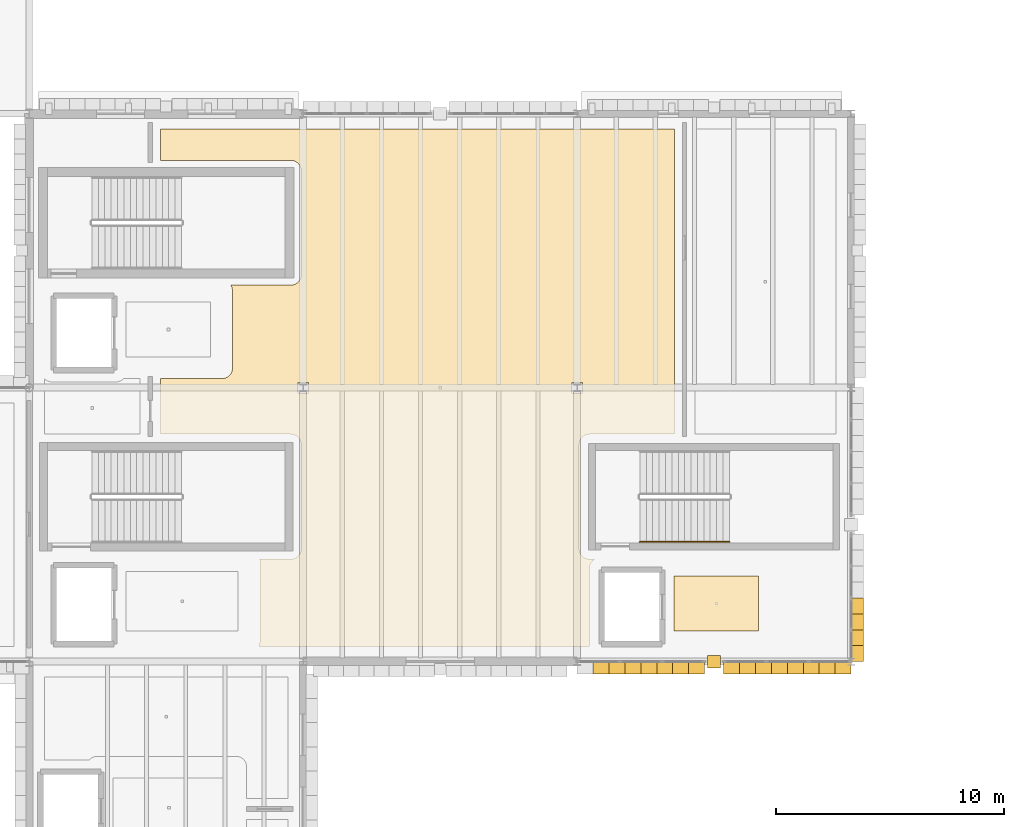
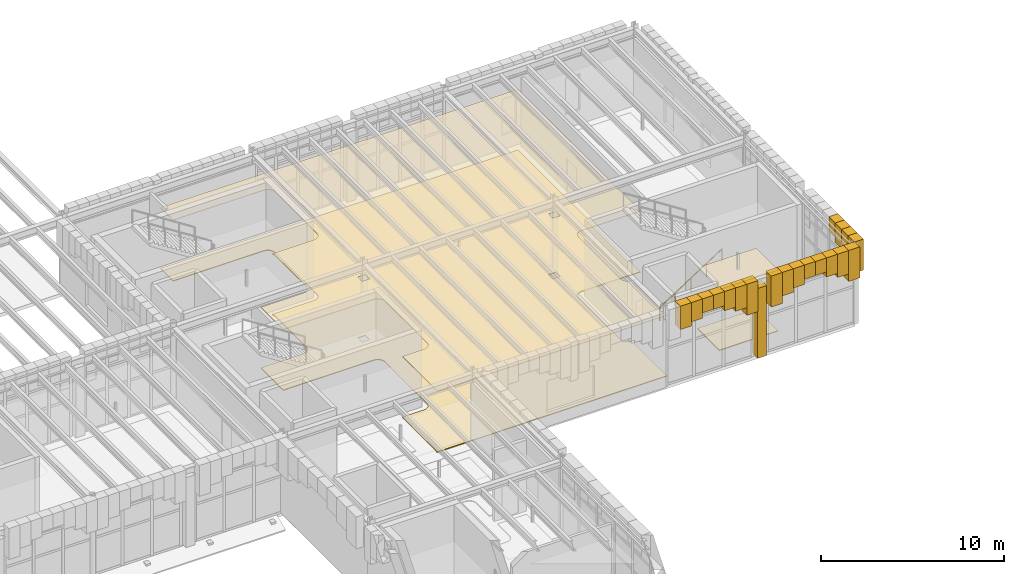
# One storey, part 93 of 100: 24 coverings, 1 railing.
"""IFC4 building model written with IfcOpenShell, lengths in metres."""

import ifcopenshell
import ifcopenshell.guid

model = None  # the IFC model being written
_history = None  # IfcOwnerHistory: only IFC2X3 demands one
_inside = {}  # id of a spatial element -> (the spatial element, [elements in it])
_under = {}  # id of a project, library or spatial element -> (it, [spatial elements below it])
_declared = {}  # id of a project -> (the project, [libraries it declares])
_typed = {}  # id of a type object -> (the type object, [elements of that type])
_made_of = {}  # id of a material, layer set ... -> (it, [elements and type objects made of it])


def new_model(schema):
    """Start an empty IFC model of exactly this schema.

    Asked for "IFC4X3", IfcOpenShell would pick the latest addendum, in which some entities
    have other attributes; the version numbers below select the first issue.
    IFC2X3 requires an IfcOwnerHistory on every rooted entity: one is made here for all.
    """
    global model, _history
    if schema == "IFC4X3":
        model = ifcopenshell.file(schema_version=(4, 3, 0, 0))
    else:
        model = ifcopenshell.file(schema=schema)
    _inside.clear()
    _under.clear()
    _declared.clear()
    _typed.clear()
    _made_of.clear()
    _history = None
    if model.schema == "IFC2X3":
        org = make("IfcOrganization", Name="unknown")
        user = make(
            "IfcPersonAndOrganization",
            ThePerson=make("IfcPerson", FamilyName="unknown"),
            TheOrganization=org,
        )
        app = make(
            "IfcApplication",
            ApplicationDeveloper=org,
            Version="unknown",
            ApplicationFullName="unknown",
            ApplicationIdentifier="unknown",
        )
        _history = make(
            "IfcOwnerHistory",
            OwningUser=user,
            OwningApplication=app,
            ChangeAction="ADDED",
            CreationDate=0,
        )
    return model


def make(cls, **values):
    """One entity of the class cls with the attributes given. An attribute that is None is left unset."""
    return model.create_entity(
        cls, **{name: value for name, value in values.items() if value is not None}
    )


def rooted(cls, **values):
    """An entity with a GlobalId (a new one), such as an element, a storey or a relation."""
    return make(cls, GlobalId=ifcopenshell.guid.new(), OwnerHistory=_history, **values)


def si_unit(unit_type, name, prefix=None):
    """IfcSIUnit, for example si_unit("LENGTHUNIT", "METRE", prefix="MILLI")."""
    return make("IfcSIUnit", UnitType=unit_type, Prefix=prefix, Name=name)


def assignment(units):
    """IfcUnitAssignment: the units of a project."""
    return None if units is None else make("IfcUnitAssignment", Units=units)


def point(xyz):
    """IfcCartesianPoint."""
    return None if xyz is None else make("IfcCartesianPoint", Coordinates=xyz)


def direction(xyz):
    """IfcDirection."""
    return None if xyz is None else make("IfcDirection", DirectionRatios=xyz)


def frame(location, z_axis=None, x_axis=None):
    """IfcAxis2Placement3D, a coordinate frame: its origin and axes. An axis left out is left unset."""
    return make(
        "IfcAxis2Placement3D",
        Location=point(location),
        Axis=direction(z_axis),
        RefDirection=direction(x_axis),
    )


def frame_2d(location, x_axis=None):
    """IfcAxis2Placement2D, a coordinate frame in the plane: its origin and x axis."""
    return make(
        "IfcAxis2Placement2D", Location=point(location), RefDirection=direction(x_axis)
    )


def origin():
    """The frame at (0, 0, 0) with its axes left unset."""
    return frame((0.0, 0.0, 0.0))


def origin_2d():
    """The frame at (0, 0) in the plane with its x axis left unset."""
    return frame_2d((0.0, 0.0))


def place(relative_to, where):
    """IfcLocalPlacement: puts the frame where relative to a parent placement (None: the world)."""
    return make(
        "IfcLocalPlacement", PlacementRelTo=relative_to, RelativePlacement=where
    )


def context(
    kind, dimensions, precision=None, world=None, true_north=None, identifier=None
):
    """IfcGeometricRepresentationContext, for example the 3D "Model" context."""
    return make(
        "IfcGeometricRepresentationContext",
        ContextIdentifier=identifier,
        ContextType=kind,
        CoordinateSpaceDimension=dimensions,
        Precision=precision,
        WorldCoordinateSystem=world,
        TrueNorth=true_north,
    )


def subcontext(parent, identifier, kind, view, scale=None):
    """IfcGeometricRepresentationSubContext, for example "Body" below "Model"."""
    return make(
        "IfcGeometricRepresentationSubContext",
        ContextIdentifier=identifier,
        ContextType=kind,
        ParentContext=parent,
        TargetScale=scale,
        TargetView=view,
    )


def project(units=None, contexts=None):
    """IfcProject with its units and contexts."""
    return rooted(
        "IfcProject",
        Name="project",
        RepresentationContexts=contexts,
        UnitsInContext=assignment(units),
    )


def spatial(cls, under=None, at=None, **own):
    """A site, building, storey or space (cls), placed at a placement, below another one or the project."""
    s = rooted(cls, ObjectPlacement=at, **own)
    if under is not None:
        _under.setdefault(under.id(), (under, []))[1].append(s)
    return s


def polyline(points):
    """IfcPolyline through the points."""
    return make("IfcPolyline", Points=[point(p) for p in points])


def profile(cls, at=None, kind="AREA", **sizes):
    """A parametric profile (cls). Its sizes go by their IFC names, for example OverallWidth=200.0."""
    return make(cls, ProfileType=kind, Position=at, **sizes)


def circle(**sizes):
    """IfcCircleProfileDef."""
    return profile("IfcCircleProfileDef", **sizes)


def outline(outer, holes=None, kind="AREA"):
    """IfcArbitraryClosedProfileDef: a profile drawn as a closed curve; with holes, ...WithVoids."""
    if holes is None:
        return make("IfcArbitraryClosedProfileDef", ProfileType=kind, OuterCurve=outer)
    return make(
        "IfcArbitraryProfileDefWithVoids",
        ProfileType=kind,
        OuterCurve=outer,
        InnerCurves=holes,
    )


def extrude(swept, where, along, depth):
    """IfcExtrudedAreaSolid: the profile swept, set in the frame where, extruded along a direction by depth."""
    return make(
        "IfcExtrudedAreaSolid",
        SweptArea=swept,
        Position=where,
        ExtrudedDirection=direction(along),
        Depth=depth,
    )


def shape(context_of_items, identifier, shape_type, items):
    """IfcShapeRepresentation: the items that make up one representation, for example the "Body"."""
    return make(
        "IfcShapeRepresentation",
        ContextOfItems=context_of_items,
        RepresentationIdentifier=identifier,
        RepresentationType=shape_type,
        Items=items,
    )


def material(Name=None, Category=None):
    """IfcMaterial."""
    return make("IfcMaterial", Name=Name, Category=Category)


def layer(
    of_material, thickness, ventilated=None, Name=None, Category=None, Priority=None
):
    """IfcMaterialLayer: one layer of a wall or slab, of a material (None: an air gap)."""
    return make(
        "IfcMaterialLayer",
        Material=of_material,
        LayerThickness=thickness,
        IsVentilated=ventilated,
        Name=Name,
        Category=Category,
        Priority=Priority,
    )


def layer_set(layers, Name=None):
    """IfcMaterialLayerSet."""
    return make("IfcMaterialLayerSet", MaterialLayers=layers, LayerSetName=Name)


def made_of(thing, what):
    """Note that an element or type object is made of a material, layer set ...; save() writes the relation."""
    if what is not None:
        _made_of.setdefault(what.id(), (what, []))[1].append(thing)
    return thing


def type_object(cls, material=None, **own):
    """A type object (cls), such as IfcWallType, which elements share."""
    return made_of(rooted(cls, **own), material)


def element(
    cls,
    number,
    at=None,
    inside=None,
    cuts=None,
    type_object=None,
    material=None,
    context=None,
    identifier="Body",
    shape_type=None,
    held_by="IfcProductDefinitionShape",
    body=None,
    shapes=None,
    **own,
):
    """One element of the class cls, such as IfcWall. Its Tag is "e" and its number.

    at: its placement. inside: the storey or other place that contains it. cuts: it is an
    opening in that element (IfcRelVoidsElement). A single representation is given by context,
    identifier, shape_type and body (its items); several are given by shapes. held_by: the class
    of the entity that holds the representations. save() writes the other relations.
    """
    e = rooted(cls, Tag="e%d" % number, ObjectPlacement=at, **own)
    if body is not None:
        shapes = [shape(context, identifier, shape_type, body)]
    if shapes is not None:
        e.Representation = make(held_by, Representations=shapes)
    if inside is not None:
        _inside.setdefault(inside.id(), (inside, []))[1].append(e)
    if cuts is not None:
        rooted(
            "IfcRelVoidsElement", RelatingBuildingElement=cuts, RelatedOpeningElement=e
        )
    if type_object is not None:
        _typed.setdefault(type_object.id(), (type_object, []))[1].append(e)
    return made_of(e, material)


def aggregate(whole, parts):
    """IfcRelAggregates: a whole, such as a stair, and the parts it consists of."""
    return rooted("IfcRelAggregates", RelatingObject=whole, RelatedObjects=parts)


def save(model, path):
    """Write the relations noted so far, then the file.

    IfcRelAggregates (storeys below a building ...), IfcRelContainedInSpatialStructure (elements
    in a storey), IfcRelDefinesByType, IfcRelAssociatesMaterial and IfcRelDeclares: one each for
    every whole, place, type object, material and project.
    """
    for whole, parts in _under.values():
        aggregate(whole, parts)
    for where, things in _inside.values():
        rooted(
            "IfcRelContainedInSpatialStructure",
            RelatedElements=things,
            RelatingStructure=where,
        )
    for kind, things in _typed.values():
        rooted("IfcRelDefinesByType", RelatedObjects=things, RelatingType=kind)
    for what, things in _made_of.values():
        rooted("IfcRelAssociatesMaterial", RelatedObjects=things, RelatingMaterial=what)
    for by, libraries in _declared.values():
        rooted("IfcRelDeclares", RelatingContext=by, RelatedDefinitions=libraries)
    model.write(path)


model = new_model("IFC4")

# Units and contexts
model_context = context("Model", 3, precision=1e-05, world=origin(), true_north=direction((0.0, 1.0)))
body_context = subcontext(model_context, "Body", "Model", "MODEL_VIEW")
ifc_project = project(units=[si_unit("LENGTHUNIT", "METRE"), si_unit("AREAUNIT", "SQUARE_METRE"), si_unit("VOLUMEUNIT", "CUBIC_METRE"), si_unit("PLANEANGLEUNIT", "RADIAN"), si_unit("MASSUNIT", "GRAM", prefix="KILO")], contexts=[model_context])

# Site, building, storey
site_placement = place(None, origin())
site = spatial("IfcSite", under=ifc_project, at=site_placement, CompositionType="ELEMENT")
building_placement = place(site_placement, origin())
building = spatial("IfcBuilding", under=site, at=building_placement, Name="Zlatogorsky Bluff Art Gallery", CompositionType="ELEMENT")
storey_placement = place(building_placement, frame((0.0, 0.0, 5.39990234375)))
storey = spatial("IfcBuildingStorey", under=building, at=storey_placement, Name="L01", CompositionType="ELEMENT", Elevation=5.39990234375)

# Coverings
ifc_material_1 = material(Name="Perforated Gypsum Acoustic Board", Category="gypsum")
ifc_layer_1 = layer(ifc_material_1, 0.0400390625)
ifc_layer_set_1 = layer_set([ifc_layer_1], Name="Acoustic Gallery Ceiling CLG-01")
covering_type_1 = type_object("IfcCoveringType", Name="Acoustic Gallery Ceiling CLG-01", PredefinedType="CEILING", material=ifc_layer_set_1)
covering_1_placement = place(storey_placement, frame((0.0, 0.0, 4.050048828125)))
element("IfcCovering", 1, at=covering_1_placement, inside=storey, type_object=covering_type_1, Name="Lift Lobby PL-2 acoustic ceiling", PredefinedType="CEILING", context=body_context, shape_type="SweptSolid", body=[
    extrude(outline(polyline([(151.949951171875, 87.75), (151.949951171875, 85.35009765625), (148.25, 85.35009765625), (148.25, 87.75), (151.949951171875, 87.75)])), origin(), (0.0, 0.0, 1.0), 0.0400390625),
])
covering_2_placement = place(storey_placement, frame((0.0, 0.0, 4.050048828125)))
element("IfcCovering", 2, at=covering_2_placement, inside=storey, type_object=covering_type_1, Name="Courtyard Artists' Studios acoustic ceiling", PredefinedType="CEILING", context=body_context, shape_type="SweptSolid", body=[
    extrude(outline(polyline([(130.065673828125, 84.677734375), (130.08056640625, 84.719482421875), (130.09130859375, 84.76220703125), (130.097900390625, 84.805908203125), (130.10009765625, 84.85009765625), (130.10009765625, 88.449951171875), (130.097900390625, 88.489990234375), (131.450927734375, 88.489990234375), (131.495361328125, 88.4921875), (131.539306640625, 88.498779296875), (131.540283203125, 88.498779296875), (131.549560546875, 88.5009765625), (131.550537109375, 88.501220703125), (131.59375, 88.512939453125), (131.6357421875, 88.529296875), (131.637451171875, 88.530029296875), (131.673095703125, 88.5478515625), (131.674072265625, 88.54833984375), (131.706298828125, 88.568115234375), (131.73681640625, 88.59033203125), (131.73828125, 88.591552734375), (131.775390625, 88.624755859375), (131.80859375, 88.661865234375), (131.809814453125, 88.663330078125), (131.83203125, 88.693603515625), (131.851806640625, 88.725830078125), (131.852294921875, 88.726806640625), (131.8701171875, 88.762451171875), (131.870361328125, 88.763427734375), (131.870849609375, 88.764404296875), (131.886962890625, 88.80615234375), (131.89892578125, 88.849609375), (131.899169921875, 88.850341796875), (131.901123046875, 88.859619140625), (131.9013671875, 88.860595703125), (131.90771484375, 88.90478515625), (131.909912109375, 88.948974609375), (131.909912109375, 93.5009765625), (131.90771484375, 93.54541015625), (131.9013671875, 93.58935546875), (131.901123046875, 93.59033203125), (131.899169921875, 93.599609375), (131.89892578125, 93.6005859375), (131.886962890625, 93.643798828125), (131.870849609375, 93.685791015625), (131.870361328125, 93.6865234375), (131.8701171875, 93.6875), (131.852294921875, 93.72314453125), (131.851806640625, 93.72412109375), (131.83203125, 93.75634765625), (131.809814453125, 93.78662109375), (131.80859375, 93.7880859375), (131.775390625, 93.8251953125), (131.73828125, 93.8583984375), (131.73681640625, 93.859619140625), (131.706298828125, 93.882080078125), (131.674072265625, 93.901611328125), (131.673095703125, 93.902099609375), (131.637451171875, 93.919921875), (131.63671875, 93.92041015625), (131.6357421875, 93.9208984375), (131.59375, 93.93701171875), (131.550537109375, 93.948974609375), (131.549560546875, 93.94921875), (131.540283203125, 93.951171875), (131.539306640625, 93.951416015625), (131.495361328125, 93.957763671875), (131.450927734375, 93.9599609375), (125.7548828125, 93.9599609375), (125.7548828125, 96.39990234375), (128.449951171875, 96.39990234375), (128.494140625, 96.402099609375), (128.537841796875, 96.40869140625), (128.58056640625, 96.41943359375), (128.622314453125, 96.434326171875), (128.662109375, 96.453125), (128.699951171875, 96.475830078125), (128.735595703125, 96.502197265625), (128.768310546875, 96.53173828125), (128.7978515625, 96.564453125), (128.82421875, 96.60009765625), (128.846923828125, 96.637939453125), (128.86572265625, 96.677734375), (128.880615234375, 96.719482421875), (128.891357421875, 96.76220703125), (128.897705078125, 96.805908203125), (128.89990234375, 96.85009765625), (128.89990234375, 100.25), (128.897705078125, 100.294189453125), (128.891357421875, 100.337890625), (128.880615234375, 100.380615234375), (128.86572265625, 100.422119140625), (128.846923828125, 100.462158203125), (128.830078125, 100.489990234375), (131.450927734375, 100.489990234375), (131.495361328125, 100.4921875), (131.539306640625, 100.498779296875), (131.540283203125, 100.498779296875), (131.549560546875, 100.5009765625), (131.550537109375, 100.501220703125), (131.59375, 100.512939453125), (131.6357421875, 100.529296875), (131.637451171875, 100.530029296875), (131.673095703125, 100.5478515625), (131.674072265625, 100.54833984375), (131.706298828125, 100.568115234375), (131.73681640625, 100.59033203125), (131.73828125, 100.591552734375), (131.775390625, 100.624755859375), (131.80859375, 100.661865234375), (131.809814453125, 100.663330078125), (131.83203125, 100.693603515625), (131.851806640625, 100.725830078125), (131.852294921875, 100.726806640625), (131.8701171875, 100.762451171875), (131.870361328125, 100.763427734375), (131.870849609375, 100.764404296875), (131.886962890625, 100.80615234375), (131.89892578125, 100.849609375), (131.899169921875, 100.850341796875), (131.901123046875, 100.859619140625), (131.9013671875, 100.860595703125), (131.90771484375, 100.90478515625), (131.909912109375, 100.948974609375), (131.909912109375, 105.5009765625), (131.90771484375, 105.54541015625), (131.9013671875, 105.58935546875), (131.901123046875, 105.59033203125), (131.899169921875, 105.599609375), (131.89892578125, 105.6005859375), (131.886962890625, 105.643798828125), (131.870849609375, 105.685791015625), (131.870361328125, 105.6865234375), (131.8701171875, 105.6875), (131.852294921875, 105.72314453125), (131.851806640625, 105.72412109375), (131.83203125, 105.75634765625), (131.809814453125, 105.78662109375), (131.80859375, 105.7880859375), (131.775390625, 105.8251953125), (131.73828125, 105.8583984375), (131.73681640625, 105.859619140625), (131.706298828125, 105.882080078125), (131.674072265625, 105.901611328125), (131.673095703125, 105.902099609375), (131.637451171875, 105.919921875), (131.63671875, 105.92041015625), (131.6357421875, 105.9208984375), (131.59375, 105.93701171875), (131.550537109375, 105.948974609375), (131.549560546875, 105.94921875), (131.540283203125, 105.951171875), (131.539306640625, 105.951416015625), (131.495361328125, 105.957763671875), (131.450927734375, 105.9599609375), (125.7548828125, 105.9599609375), (125.7548828125, 107.330078125), (148.2607421875, 107.330078125), (148.2607421875, 93.9599609375), (144.549072265625, 93.9599609375), (144.504638671875, 93.957763671875), (144.460693359375, 93.951416015625), (144.459716796875, 93.951171875), (144.450439453125, 93.94921875), (144.449462890625, 93.948974609375), (144.40625, 93.93701171875), (144.3642578125, 93.9208984375), (144.36328125, 93.92041015625), (144.362548828125, 93.919921875), (144.326904296875, 93.902099609375), (144.325927734375, 93.901611328125), (144.293701171875, 93.882080078125), (144.26318359375, 93.859619140625), (144.26171875, 93.8583984375), (144.224609375, 93.8251953125), (144.19140625, 93.7880859375), (144.190185546875, 93.78662109375), (144.16796875, 93.75634765625), (144.148193359375, 93.72412109375), (144.147705078125, 93.72314453125), (144.1298828125, 93.6875), (144.129638671875, 93.6865234375), (144.129150390625, 93.685791015625), (144.113037109375, 93.643798828125), (144.10107421875, 93.6005859375), (144.100830078125, 93.599609375), (144.098876953125, 93.59033203125), (144.0986328125, 93.58935546875), (144.09228515625, 93.54541015625), (144.090087890625, 93.5009765625), (144.090087890625, 88.948974609375), (144.09228515625, 88.90478515625), (144.0986328125, 88.860595703125), (144.098876953125, 88.859619140625), (144.100830078125, 88.850341796875), (144.10107421875, 88.849609375), (144.113037109375, 88.80615234375), (144.129150390625, 88.764404296875), (144.129638671875, 88.763427734375), (144.1298828125, 88.762451171875), (144.147705078125, 88.726806640625), (144.148193359375, 88.725830078125), (144.16796875, 88.693603515625), (144.190185546875, 88.663330078125), (144.19140625, 88.661865234375), (144.224609375, 88.624755859375), (144.26171875, 88.591552734375), (144.26318359375, 88.59033203125), (144.293701171875, 88.568115234375), (144.325927734375, 88.54833984375), (144.326904296875, 88.5478515625), (144.362548828125, 88.530029296875), (144.3642578125, 88.529296875), (144.40625, 88.512939453125), (144.449462890625, 88.501220703125), (144.450439453125, 88.5009765625), (144.459716796875, 88.498779296875), (144.460693359375, 88.498779296875), (144.504638671875, 88.4921875), (144.549072265625, 88.489990234375), (144.7763671875, 88.489990234375), (144.75, 88.47412109375), (144.714599609375, 88.447998046875), (144.681884765625, 88.418212890625), (144.652099609375, 88.385498046875), (144.625732421875, 88.35009765625), (144.60302734375, 88.31201171875), (144.584228515625, 88.272216796875), (144.5693359375, 88.230712890625), (144.55859375, 88.187744140625), (144.55224609375, 88.14404296875), (144.550048828125, 88.10009765625), (144.550048828125, 84.699951171875), (144.551513671875, 84.669921875), (130.06201171875, 84.669921875), (130.065673828125, 84.677734375)]), holes=[polyline([(131.77001953125, 96.22998046875), (131.77001953125, 95.77001953125), (132.22998046875, 95.77001953125), (132.22998046875, 96.22998046875), (131.77001953125, 96.22998046875)]), polyline([(143.77001953125, 96.22998046875), (143.77001953125, 95.77001953125), (144.22998046875, 95.77001953125), (144.22998046875, 96.22998046875), (143.77001953125, 96.22998046875)])]), origin(), (0.0, 0.0, 1.0), 0.0400390625),
])
ifc_material_2 = material(Name="Honed Red Agra-Tone Quartzitic Sandstone", Category="masonry")
ifc_layer_2 = layer(ifc_material_2, 0.1201171875)
ifc_layer_set_2 = layer_set([ifc_layer_2], Name="Carved Sandstone Cladding CLD-02")
covering_type_2 = type_object("IfcCoveringType", Name="Carved Sandstone Cladding CLD-02", PredefinedType="CLADDING", material=ifc_layer_set_2)
covering_3_placement = place(storey_placement, frame((0.0, 0.0, -0.02978515625)))
element("IfcCovering", 3, at=covering_3_placement, inside=storey, type_object=covering_type_2, Name="Mughal dalan central sandstone pier L01 S 12.8", PredefinedType="CLADDING", context=body_context, shape_type="SweptSolid", body=[
    extrude(outline(polyline([(149.719970703125, 83.719970703125), (150.280029296875, 83.719970703125), (150.280029296875, 84.280029296875), (149.719970703125, 84.280029296875), (149.719970703125, 83.719970703125)])), origin(), (0.0, 0.0, 1.0), 4.659912109375),
])
covering_4_placement = place(storey_placement, frame((0.0, 0.0, 3.7998046875)))
element("IfcCovering", 4, at=covering_4_placement, inside=storey, type_object=covering_type_2, Name="Pointed Mughal arch voussoir spandrel ARCH-CW-L01-S-12-08-A.2", PredefinedType="CLADDING", context=body_context, shape_type="SweptSolid", body=[
    extrude(outline(polyline([(144.697509765625, 83.4599609375), (145.39501953125, 83.4599609375), (145.39501953125, 84.030029296875), (144.697509765625, 84.030029296875), (144.697509765625, 83.4599609375)])), origin(), (0.0, 0.0, 1.0), 1.560302734375),
])
covering_5_placement = place(storey_placement, frame((0.0, 0.0, 4.076416015625)))
element("IfcCovering", 5, at=covering_5_placement, inside=storey, type_object=covering_type_2, Name="Pointed Mughal arch voussoir spandrel ARCH-CW-L01-S-12-08-A.3", PredefinedType="CLADDING", context=body_context, shape_type="SweptSolid", body=[
    extrude(outline(polyline([(145.39501953125, 83.4599609375), (146.092529296875, 83.4599609375), (146.092529296875, 84.030029296875), (145.39501953125, 84.030029296875), (145.39501953125, 83.4599609375)])), origin(), (0.0, 0.0, 1.0), 1.28369140625),
])
covering_6_placement = place(storey_placement, frame((0.0, 0.0, 4.424560546875)))
element("IfcCovering", 6, at=covering_6_placement, inside=storey, type_object=covering_type_2, Name="Pointed Mughal arch voussoir spandrel ARCH-CW-L01-S-12-08-A.4", PredefinedType="CLADDING", context=body_context, shape_type="SweptSolid", body=[
    extrude(outline(polyline([(146.092529296875, 83.4599609375), (146.7900390625, 83.4599609375), (146.7900390625, 84.030029296875), (146.092529296875, 84.030029296875), (146.092529296875, 83.4599609375)])), origin(), (0.0, 0.0, 1.0), 0.935546875),
])
covering_7_placement = place(storey_placement, frame((0.0, 0.0, 4.424560546875)))
element("IfcCovering", 7, at=covering_7_placement, inside=storey, type_object=covering_type_2, Name="Pointed Mughal arch voussoir spandrel ARCH-CW-L01-S-12-08-A.5", PredefinedType="CLADDING", context=body_context, shape_type="SweptSolid", body=[
    extrude(outline(polyline([(146.7900390625, 83.4599609375), (147.487548828125, 83.4599609375), (147.487548828125, 84.030029296875), (146.7900390625, 84.030029296875), (146.7900390625, 83.4599609375)])), origin(), (0.0, 0.0, 1.0), 0.935546875),
])
covering_8_placement = place(storey_placement, frame((0.0, 0.0, 4.076416015625)))
element("IfcCovering", 8, at=covering_8_placement, inside=storey, type_object=covering_type_2, Name="Pointed Mughal arch voussoir spandrel ARCH-CW-L01-S-12-08-A.6", PredefinedType="CLADDING", context=body_context, shape_type="SweptSolid", body=[
    extrude(outline(polyline([(147.487548828125, 83.4599609375), (148.18505859375, 83.4599609375), (148.18505859375, 84.030029296875), (147.487548828125, 84.030029296875), (147.487548828125, 83.4599609375)])), origin(), (0.0, 0.0, 1.0), 1.28369140625),
])
covering_9_placement = place(storey_placement, frame((0.0, 0.0, 3.7998046875)))
element("IfcCovering", 9, at=covering_9_placement, inside=storey, type_object=covering_type_2, Name="Pointed Mughal arch voussoir spandrel ARCH-CW-L01-S-12-08-A.7", PredefinedType="CLADDING", context=body_context, shape_type="SweptSolid", body=[
    extrude(outline(polyline([(148.18505859375, 83.4599609375), (148.882568359375, 83.4599609375), (148.882568359375, 84.030029296875), (148.18505859375, 84.030029296875), (148.18505859375, 83.4599609375)])), origin(), (0.0, 0.0, 1.0), 1.560302734375),
])
covering_10_placement = place(storey_placement, frame((0.0, 0.0, 3.2978515625)))
element("IfcCovering", 10, at=covering_10_placement, inside=storey, type_object=covering_type_2, Name="Pointed Mughal arch voussoir spandrel ARCH-CW-L01-S-12-08-A.8", PredefinedType="CLADDING", context=body_context, shape_type="SweptSolid", body=[
    extrude(outline(polyline([(148.882568359375, 83.4599609375), (149.580078125, 83.4599609375), (149.580078125, 84.030029296875), (148.882568359375, 84.030029296875), (148.882568359375, 83.4599609375)])), origin(), (0.0, 0.0, 1.0), 2.062255859375),
])
covering_11_placement = place(storey_placement, frame((0.0, 0.0, 3.2978515625)))
element("IfcCovering", 11, at=covering_11_placement, inside=storey, type_object=covering_type_2, Name="Pointed Mughal arch voussoir spandrel ARCH-CW-L01-S-12-08-B.1", PredefinedType="CLADDING", context=body_context, shape_type="SweptSolid", body=[
    extrude(outline(polyline([(150.419921875, 83.4599609375), (151.117431640625, 83.4599609375), (151.117431640625, 84.030029296875), (150.419921875, 84.030029296875), (150.419921875, 83.4599609375)])), origin(), (0.0, 0.0, 1.0), 2.062255859375),
])
covering_12_placement = place(storey_placement, frame((0.0, 0.0, 3.7998046875)))
element("IfcCovering", 12, at=covering_12_placement, inside=storey, type_object=covering_type_2, Name="Pointed Mughal arch voussoir spandrel ARCH-CW-L01-S-12-08-B.2", PredefinedType="CLADDING", context=body_context, shape_type="SweptSolid", body=[
    extrude(outline(polyline([(151.117431640625, 83.4599609375), (151.81494140625, 83.4599609375), (151.81494140625, 84.030029296875), (151.117431640625, 84.030029296875), (151.117431640625, 83.4599609375)])), origin(), (0.0, 0.0, 1.0), 1.560302734375),
])
covering_13_placement = place(storey_placement, frame((0.0, 0.0, 4.076416015625)))
element("IfcCovering", 13, at=covering_13_placement, inside=storey, type_object=covering_type_2, Name="Pointed Mughal arch voussoir spandrel ARCH-CW-L01-S-12-08-B.3", PredefinedType="CLADDING", context=body_context, shape_type="SweptSolid", body=[
    extrude(outline(polyline([(151.81494140625, 83.4599609375), (152.512451171875, 83.4599609375), (152.512451171875, 84.030029296875), (151.81494140625, 84.030029296875), (151.81494140625, 83.4599609375)])), origin(), (0.0, 0.0, 1.0), 1.28369140625),
])
covering_14_placement = place(storey_placement, frame((0.0, 0.0, 4.424560546875)))
element("IfcCovering", 14, at=covering_14_placement, inside=storey, type_object=covering_type_2, Name="Pointed Mughal arch voussoir spandrel ARCH-CW-L01-S-12-08-B.4", PredefinedType="CLADDING", context=body_context, shape_type="SweptSolid", body=[
    extrude(outline(polyline([(152.512451171875, 83.4599609375), (153.2099609375, 83.4599609375), (153.2099609375, 84.030029296875), (152.512451171875, 84.030029296875), (152.512451171875, 83.4599609375)])), origin(), (0.0, 0.0, 1.0), 0.935546875),
])
covering_15_placement = place(storey_placement, frame((0.0, 0.0, 4.424560546875)))
element("IfcCovering", 15, at=covering_15_placement, inside=storey, type_object=covering_type_2, Name="Pointed Mughal arch voussoir spandrel ARCH-CW-L01-S-12-08-B.5", PredefinedType="CLADDING", context=body_context, shape_type="SweptSolid", body=[
    extrude(outline(polyline([(153.2099609375, 83.4599609375), (153.907470703125, 83.4599609375), (153.907470703125, 84.030029296875), (153.2099609375, 84.030029296875), (153.2099609375, 83.4599609375)])), origin(), (0.0, 0.0, 1.0), 0.935546875),
])
covering_16_placement = place(storey_placement, frame((0.0, 0.0, 4.076416015625)))
element("IfcCovering", 16, at=covering_16_placement, inside=storey, type_object=covering_type_2, Name="Pointed Mughal arch voussoir spandrel ARCH-CW-L01-S-12-08-B.6", PredefinedType="CLADDING", context=body_context, shape_type="SweptSolid", body=[
    extrude(outline(polyline([(153.907470703125, 83.4599609375), (154.60498046875, 83.4599609375), (154.60498046875, 84.030029296875), (153.907470703125, 84.030029296875), (153.907470703125, 83.4599609375)])), origin(), (0.0, 0.0, 1.0), 1.28369140625),
])
covering_17_placement = place(storey_placement, frame((0.0, 0.0, 3.7998046875)))
element("IfcCovering", 17, at=covering_17_placement, inside=storey, type_object=covering_type_2, Name="Pointed Mughal arch voussoir spandrel ARCH-CW-L01-S-12-08-B.7", PredefinedType="CLADDING", context=body_context, shape_type="SweptSolid", body=[
    extrude(outline(polyline([(154.60498046875, 83.4599609375), (155.302490234375, 83.4599609375), (155.302490234375, 84.030029296875), (154.60498046875, 84.030029296875), (154.60498046875, 83.4599609375)])), origin(), (0.0, 0.0, 1.0), 1.560302734375),
])
covering_18_placement = place(storey_placement, frame((0.0, 0.0, 3.2978515625)))
element("IfcCovering", 18, at=covering_18_placement, inside=storey, type_object=covering_type_2, Name="Pointed Mughal arch voussoir spandrel ARCH-CW-L01-S-12-08-B.8", PredefinedType="CLADDING", context=body_context, shape_type="SweptSolid", body=[
    extrude(outline(polyline([(155.302490234375, 83.4599609375), (156.0, 83.4599609375), (156.0, 84.030029296875), (155.302490234375, 84.030029296875), (155.302490234375, 83.4599609375)])), origin(), (0.0, 0.0, 1.0), 2.062255859375),
])
covering_19_placement = place(storey_placement, frame((0.0, 0.0, 3.2978515625)))
element("IfcCovering", 19, at=covering_19_placement, inside=storey, type_object=covering_type_2, Name="Pointed Mughal arch voussoir spandrel ARCH-CW-L01-E-12-08-A.1", PredefinedType="CLADDING", context=body_context, shape_type="SweptSolid", body=[
    extrude(outline(polyline([(155.969970703125, 84.0), (155.969970703125, 84.697509765625), (156.5400390625, 84.697509765625), (156.5400390625, 84.0), (155.969970703125, 84.0)])), origin(), (0.0, 0.0, 1.0), 2.062255859375),
])
covering_20_placement = place(storey_placement, frame((0.0, 0.0, 3.7998046875)))
element("IfcCovering", 20, at=covering_20_placement, inside=storey, type_object=covering_type_2, Name="Pointed Mughal arch voussoir spandrel ARCH-CW-L01-E-12-08-A.2", PredefinedType="CLADDING", context=body_context, shape_type="SweptSolid", body=[
    extrude(outline(polyline([(155.969970703125, 84.697509765625), (155.969970703125, 85.39501953125), (156.5400390625, 85.39501953125), (156.5400390625, 84.697509765625), (155.969970703125, 84.697509765625)])), origin(), (0.0, 0.0, 1.0), 1.560302734375),
])
covering_21_placement = place(storey_placement, frame((0.0, 0.0, 4.076416015625)))
element("IfcCovering", 21, at=covering_21_placement, inside=storey, type_object=covering_type_2, Name="Pointed Mughal arch voussoir spandrel ARCH-CW-L01-E-12-08-A.3", PredefinedType="CLADDING", context=body_context, shape_type="SweptSolid", body=[
    extrude(outline(polyline([(155.969970703125, 85.39501953125), (155.969970703125, 86.092529296875), (156.5400390625, 86.092529296875), (156.5400390625, 85.39501953125), (155.969970703125, 85.39501953125)])), origin(), (0.0, 0.0, 1.0), 1.28369140625),
])
covering_22_placement = place(storey_placement, frame((0.0, 0.0, 4.424560546875)))
element("IfcCovering", 22, at=covering_22_placement, inside=storey, type_object=covering_type_2, Name="Pointed Mughal arch voussoir spandrel ARCH-CW-L01-E-12-08-A.4", PredefinedType="CLADDING", context=body_context, shape_type="SweptSolid", body=[
    extrude(outline(polyline([(155.969970703125, 86.092529296875), (155.969970703125, 86.7900390625), (156.5400390625, 86.7900390625), (156.5400390625, 86.092529296875), (155.969970703125, 86.092529296875)])), origin(), (0.0, 0.0, 1.0), 0.935546875),
])

# Railing
ifc_material_3 = material(Name="Brushed Stainless Steel", Category="steel")
railing_type = type_object("IfcRailingType", Name="Stair Pitch Handrail 900mm", PredefinedType="HANDRAIL", material=ifc_material_3)
railing_placement = place(storey_placement, frame((146.75, 89.25, 0.18017578125)))
element("IfcRailing", 23, at=railing_placement, inside=storey, type_object=railing_type, Name="L01 ST-04 stair handrail 1", PredefinedType="HANDRAIL", context=body_context, shape_type="SweptSolid", body=[
    extrude(circle(Radius=0.02392578125, at=origin_2d()), frame((0.0, 0.0, 0.8759765625), z_axis=(0.841171666519, 0.0, 0.540768182723), x_axis=(0.0, 1.0, 0.0)), (0.0, 0.0, 1.0), 4.66015625),
    extrude(circle(Radius=0.02099609375, at=origin_2d()), origin(), (0.0, 0.0, 1.0), 0.851806640625),
    extrude(circle(Radius=0.02099609375, at=origin_2d()), frame((0.97998046875, 0.0, 0.6298828125)), (0.0, 0.0, 1.0), 0.851806640625),
    extrude(circle(Radius=0.02099609375, at=origin_2d()), frame((1.9599609375, 0.0, 1.260009765625)), (0.0, 0.0, 1.0), 0.851806640625),
    extrude(circle(Radius=0.02099609375, at=origin_2d()), frame((2.93994140625, 0.0, 1.89013671875)), (0.0, 0.0, 1.0), 0.851806640625),
    extrude(circle(Radius=0.02099609375, at=origin_2d()), frame((3.919921875, 0.0, 2.52001953125)), (0.0, 0.0, 1.0), 0.851806640625),
])

# Coverings
ifc_material_4 = material(Name="Polished Ural Marble Terrazzo", Category="masonry")
ifc_layer_3 = layer(ifc_material_4, 0.050048828125)
ifc_layer_set_3 = layer_set([ifc_layer_3], Name="Terrazzo Gallery Flooring FLR-01")
covering_type_3 = type_object("IfcCoveringType", Name="Terrazzo Gallery Flooring FLR-01", PredefinedType="FLOORING", material=ifc_layer_set_3)
covering_23_placement = place(storey_placement, origin())
element("IfcCovering", 24, at=covering_23_placement, inside=storey, type_object=covering_type_3, Name="Lift Lobby PL-2 terrazzo floor finish", PredefinedType="FLOORING", context=body_context, shape_type="SweptSolid", body=[
    extrude(outline(polyline([(151.949951171875, 87.75), (151.949951171875, 85.35009765625), (148.25, 85.35009765625), (148.25, 87.75), (151.949951171875, 87.75)])), origin(), (0.0, 0.0, 1.0), 0.050048828125),
])
covering_24_placement = place(storey_placement, origin())
element("IfcCovering", 25, at=covering_24_placement, inside=storey, type_object=covering_type_3, Name="Courtyard Artists' Studios terrazzo floor finish", PredefinedType="FLOORING", context=body_context, shape_type="SweptSolid", body=[
    extrude(outline(polyline([(130.065673828125, 84.677734375), (130.08056640625, 84.719482421875), (130.09130859375, 84.76220703125), (130.097900390625, 84.805908203125), (130.10009765625, 84.85009765625), (130.10009765625, 88.449951171875), (130.097900390625, 88.489990234375), (131.450927734375, 88.489990234375), (131.495361328125, 88.4921875), (131.539306640625, 88.498779296875), (131.540283203125, 88.498779296875), (131.549560546875, 88.5009765625), (131.550537109375, 88.501220703125), (131.59375, 88.512939453125), (131.6357421875, 88.529296875), (131.637451171875, 88.530029296875), (131.673095703125, 88.5478515625), (131.674072265625, 88.54833984375), (131.706298828125, 88.568115234375), (131.73681640625, 88.59033203125), (131.73828125, 88.591552734375), (131.775390625, 88.624755859375), (131.80859375, 88.661865234375), (131.809814453125, 88.663330078125), (131.83203125, 88.693603515625), (131.851806640625, 88.725830078125), (131.852294921875, 88.726806640625), (131.8701171875, 88.762451171875), (131.870361328125, 88.763427734375), (131.870849609375, 88.764404296875), (131.886962890625, 88.80615234375), (131.89892578125, 88.849609375), (131.899169921875, 88.850341796875), (131.901123046875, 88.859619140625), (131.9013671875, 88.860595703125), (131.90771484375, 88.90478515625), (131.909912109375, 88.948974609375), (131.909912109375, 93.5009765625), (131.90771484375, 93.54541015625), (131.9013671875, 93.58935546875), (131.901123046875, 93.59033203125), (131.899169921875, 93.599609375), (131.89892578125, 93.6005859375), (131.886962890625, 93.643798828125), (131.870849609375, 93.685791015625), (131.870361328125, 93.6865234375), (131.8701171875, 93.6875), (131.852294921875, 93.72314453125), (131.851806640625, 93.72412109375), (131.83203125, 93.75634765625), (131.809814453125, 93.78662109375), (131.80859375, 93.7880859375), (131.775390625, 93.8251953125), (131.73828125, 93.8583984375), (131.73681640625, 93.859619140625), (131.706298828125, 93.882080078125), (131.674072265625, 93.901611328125), (131.673095703125, 93.902099609375), (131.637451171875, 93.919921875), (131.63671875, 93.92041015625), (131.6357421875, 93.9208984375), (131.59375, 93.93701171875), (131.550537109375, 93.948974609375), (131.549560546875, 93.94921875), (131.540283203125, 93.951171875), (131.539306640625, 93.951416015625), (131.495361328125, 93.957763671875), (131.450927734375, 93.9599609375), (125.7548828125, 93.9599609375), (125.7548828125, 96.39990234375), (128.449951171875, 96.39990234375), (128.494140625, 96.402099609375), (128.537841796875, 96.40869140625), (128.58056640625, 96.41943359375), (128.622314453125, 96.434326171875), (128.662109375, 96.453125), (128.699951171875, 96.475830078125), (128.735595703125, 96.502197265625), (128.768310546875, 96.53173828125), (128.7978515625, 96.564453125), (128.82421875, 96.60009765625), (128.846923828125, 96.637939453125), (128.86572265625, 96.677734375), (128.880615234375, 96.719482421875), (128.891357421875, 96.76220703125), (128.897705078125, 96.805908203125), (128.89990234375, 96.85009765625), (128.89990234375, 100.25), (128.897705078125, 100.294189453125), (128.891357421875, 100.337890625), (128.880615234375, 100.380615234375), (128.86572265625, 100.422119140625), (128.846923828125, 100.462158203125), (128.830078125, 100.489990234375), (131.450927734375, 100.489990234375), (131.495361328125, 100.4921875), (131.539306640625, 100.498779296875), (131.540283203125, 100.498779296875), (131.549560546875, 100.5009765625), (131.550537109375, 100.501220703125), (131.59375, 100.512939453125), (131.6357421875, 100.529296875), (131.637451171875, 100.530029296875), (131.673095703125, 100.5478515625), (131.674072265625, 100.54833984375), (131.706298828125, 100.568115234375), (131.73681640625, 100.59033203125), (131.73828125, 100.591552734375), (131.775390625, 100.624755859375), (131.80859375, 100.661865234375), (131.809814453125, 100.663330078125), (131.83203125, 100.693603515625), (131.851806640625, 100.725830078125), (131.852294921875, 100.726806640625), (131.8701171875, 100.762451171875), (131.870361328125, 100.763427734375), (131.870849609375, 100.764404296875), (131.886962890625, 100.80615234375), (131.89892578125, 100.849609375), (131.899169921875, 100.850341796875), (131.901123046875, 100.859619140625), (131.9013671875, 100.860595703125), (131.90771484375, 100.90478515625), (131.909912109375, 100.948974609375), (131.909912109375, 105.5009765625), (131.90771484375, 105.54541015625), (131.9013671875, 105.58935546875), (131.901123046875, 105.59033203125), (131.899169921875, 105.599609375), (131.89892578125, 105.6005859375), (131.886962890625, 105.643798828125), (131.870849609375, 105.685791015625), (131.870361328125, 105.6865234375), (131.8701171875, 105.6875), (131.852294921875, 105.72314453125), (131.851806640625, 105.72412109375), (131.83203125, 105.75634765625), (131.809814453125, 105.78662109375), (131.80859375, 105.7880859375), (131.775390625, 105.8251953125), (131.73828125, 105.8583984375), (131.73681640625, 105.859619140625), (131.706298828125, 105.882080078125), (131.674072265625, 105.901611328125), (131.673095703125, 105.902099609375), (131.637451171875, 105.919921875), (131.63671875, 105.92041015625), (131.6357421875, 105.9208984375), (131.59375, 105.93701171875), (131.550537109375, 105.948974609375), (131.549560546875, 105.94921875), (131.540283203125, 105.951171875), (131.539306640625, 105.951416015625), (131.495361328125, 105.957763671875), (131.450927734375, 105.9599609375), (125.7548828125, 105.9599609375), (125.7548828125, 107.330078125), (148.2607421875, 107.330078125), (148.2607421875, 93.9599609375), (144.549072265625, 93.9599609375), (144.504638671875, 93.957763671875), (144.460693359375, 93.951416015625), (144.459716796875, 93.951171875), (144.450439453125, 93.94921875), (144.449462890625, 93.948974609375), (144.40625, 93.93701171875), (144.3642578125, 93.9208984375), (144.36328125, 93.92041015625), (144.362548828125, 93.919921875), (144.326904296875, 93.902099609375), (144.325927734375, 93.901611328125), (144.293701171875, 93.882080078125), (144.26318359375, 93.859619140625), (144.26171875, 93.8583984375), (144.224609375, 93.8251953125), (144.19140625, 93.7880859375), (144.190185546875, 93.78662109375), (144.16796875, 93.75634765625), (144.148193359375, 93.72412109375), (144.147705078125, 93.72314453125), (144.1298828125, 93.6875), (144.129638671875, 93.6865234375), (144.129150390625, 93.685791015625), (144.113037109375, 93.643798828125), (144.10107421875, 93.6005859375), (144.100830078125, 93.599609375), (144.098876953125, 93.59033203125), (144.0986328125, 93.58935546875), (144.09228515625, 93.54541015625), (144.090087890625, 93.5009765625), (144.090087890625, 88.948974609375), (144.09228515625, 88.90478515625), (144.0986328125, 88.860595703125), (144.098876953125, 88.859619140625), (144.100830078125, 88.850341796875), (144.10107421875, 88.849609375), (144.113037109375, 88.80615234375), (144.129150390625, 88.764404296875), (144.129638671875, 88.763427734375), (144.1298828125, 88.762451171875), (144.147705078125, 88.726806640625), (144.148193359375, 88.725830078125), (144.16796875, 88.693603515625), (144.190185546875, 88.663330078125), (144.19140625, 88.661865234375), (144.224609375, 88.624755859375), (144.26171875, 88.591552734375), (144.26318359375, 88.59033203125), (144.293701171875, 88.568115234375), (144.325927734375, 88.54833984375), (144.326904296875, 88.5478515625), (144.362548828125, 88.530029296875), (144.3642578125, 88.529296875), (144.40625, 88.512939453125), (144.449462890625, 88.501220703125), (144.450439453125, 88.5009765625), (144.459716796875, 88.498779296875), (144.460693359375, 88.498779296875), (144.504638671875, 88.4921875), (144.549072265625, 88.489990234375), (144.7763671875, 88.489990234375), (144.75, 88.47412109375), (144.714599609375, 88.447998046875), (144.681884765625, 88.418212890625), (144.652099609375, 88.385498046875), (144.625732421875, 88.35009765625), (144.60302734375, 88.31201171875), (144.584228515625, 88.272216796875), (144.5693359375, 88.230712890625), (144.55859375, 88.187744140625), (144.55224609375, 88.14404296875), (144.550048828125, 88.10009765625), (144.550048828125, 84.699951171875), (144.551513671875, 84.669921875), (130.06201171875, 84.669921875), (130.065673828125, 84.677734375)]), holes=[polyline([(131.77001953125, 96.22998046875), (131.77001953125, 95.77001953125), (132.22998046875, 95.77001953125), (132.22998046875, 96.22998046875), (131.77001953125, 96.22998046875)]), polyline([(143.77001953125, 96.22998046875), (143.77001953125, 95.77001953125), (144.22998046875, 95.77001953125), (144.22998046875, 96.22998046875), (143.77001953125, 96.22998046875)])]), origin(), (0.0, 0.0, 1.0), 0.050048828125),
])

save(model, "model.ifc")
